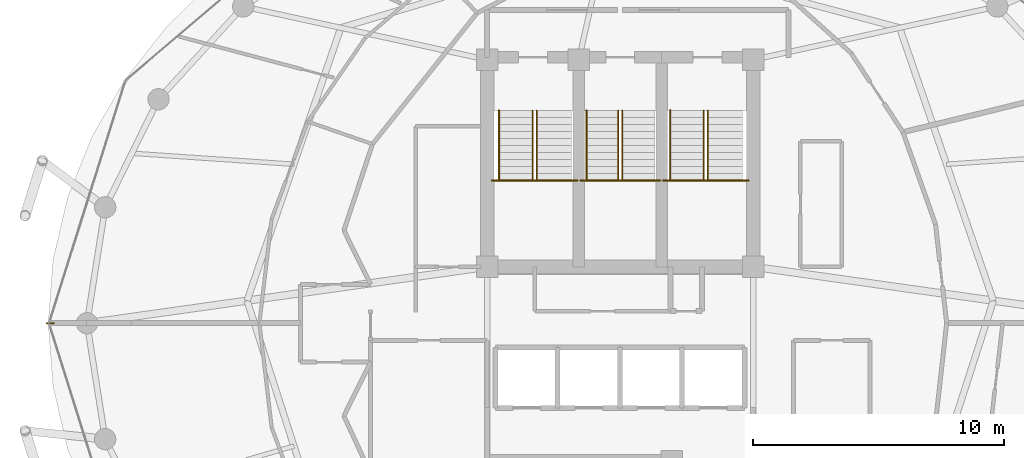
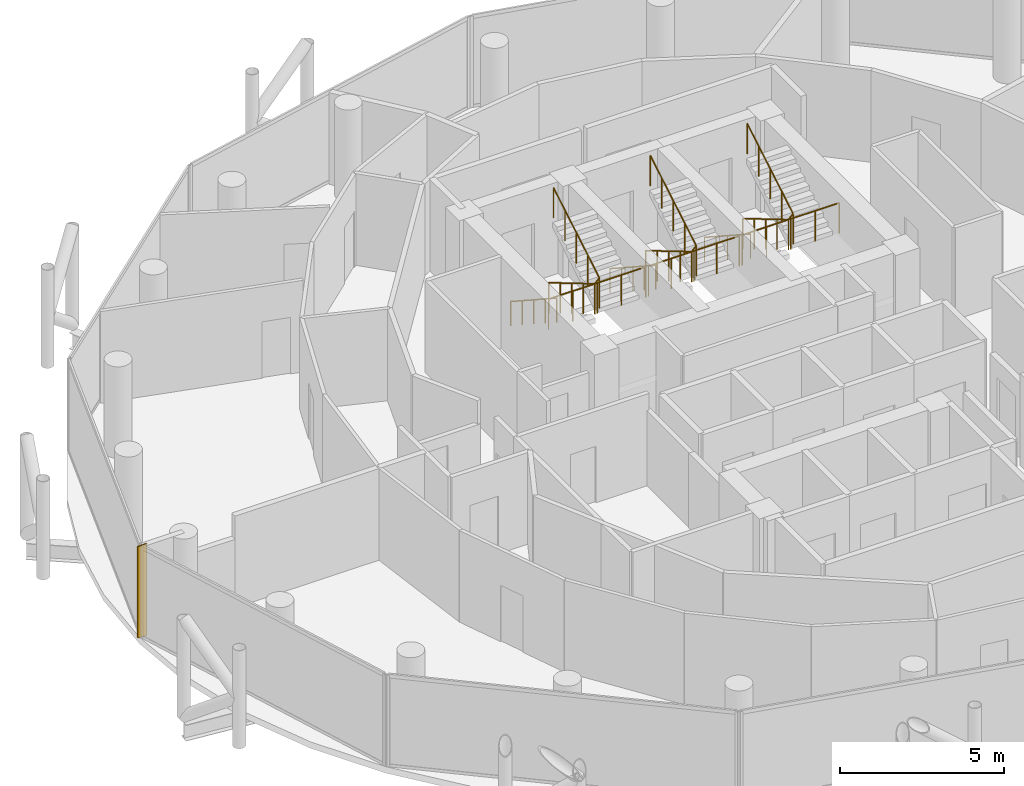
# One storey, part 27 of 28: 9 railings, 1 shading device.
"""IFC4 building model written with IfcOpenShell, lengths in metres."""

from ifc_helpers import new_model, si_unit, direction, frame, origin, origin_2d, place, context, subcontext, project, spatial, polyline, rectangle, outline, extrude, material, layer, layer_set, type_object, element, save


model = new_model("IFC4")

# Units and contexts
model_context = context("Model", 3, precision=1e-05, world=origin(), true_north=direction((0.0, 1.0)))
body_context = subcontext(model_context, "Body", "Model", "MODEL_VIEW")
ifc_project = project(units=[si_unit("LENGTHUNIT", "METRE"), si_unit("AREAUNIT", "SQUARE_METRE"), si_unit("VOLUMEUNIT", "CUBIC_METRE"), si_unit("PLANEANGLEUNIT", "RADIAN"), si_unit("MASSUNIT", "GRAM", prefix="KILO")], contexts=[model_context])

# Site, building, storey
site_placement = place(None, origin())
site = spatial("IfcSite", under=ifc_project, at=site_placement, CompositionType="ELEMENT")
building_placement = place(site_placement, origin())
building = spatial("IfcBuilding", under=site, at=building_placement, Name="Nuhasar Tower", CompositionType="ELEMENT")
storey_placement = place(building_placement, frame((0.0, 0.0, 222.75)))
storey = spatial("IfcBuildingStorey", under=building, at=storey_placement, Name="L54", CompositionType="ELEMENT", Elevation=222.75)

# Railings
ifc_material_1 = material(Name="Steel S355", Category="steel")
railing_type_1 = type_object("IfcRailingType", Name="RLG-STAIR-GUARD-1150", PredefinedType="GUARDRAIL", material=ifc_material_1)
railing_1_placement = place(storey_placement, frame((33.8798828125, 32.485107421875, 1.824951171875)))
element("IfcRailing", 1, at=railing_1_placement, inside=storey, type_object=railing_type_1, Name="L54 Stair ST-01 Guardrail LND", PredefinedType="GUARDRAIL", context=body_context, shape_type="SweptSolid", body=[
    extrude(outline(polyline([(0.024169921875, 0.0), (0.01708984375, 0.01708984375), (0.0, 0.024169921875), (-0.01708984375, 0.01708984375), (-0.024169921875, 0.0), (-0.01708984375, -0.01708984375), (0.0, -0.024169921875), (0.01708984375, -0.01708984375), (0.024169921875, 0.0)])), frame((0.0, 0.0, 1.1259765625), z_axis=(1.0, 0.0, 0.0), x_axis=(0.0, 1.0, 0.0)), (0.0, 0.0, 1.0), 3.420166015625),
    extrude(outline(polyline([(0.02099609375, 0.0), (0.014892578125, 0.014892578125), (0.0, 0.02099609375), (-0.014892578125, 0.014892578125), (-0.02099609375, 0.0), (-0.014892578125, -0.014892578125), (0.0, -0.02099609375), (0.014892578125, -0.014892578125), (0.02099609375, 0.0)])), origin(), (0.0, 0.0, 1.0), 1.101806640625),
    extrude(outline(polyline([(0.02099609375, 0.0), (0.014892578125, 0.014892578125), (0.0, 0.02099609375), (-0.014892578125, 0.014892578125), (-0.02099609375, 0.0), (-0.014892578125, -0.014892578125), (0.0, -0.02099609375), (0.014892578125, -0.014892578125), (0.02099609375, 0.0)])), frame((0.85498046875, 0.0, 0.0)), (0.0, 0.0, 1.0), 1.101806640625),
    extrude(outline(polyline([(0.02099609375, 0.0), (0.014892578125, 0.014892578125), (0.0, 0.02099609375), (-0.014892578125, 0.014892578125), (-0.02099609375, 0.0), (-0.014892578125, -0.014892578125), (0.0, -0.02099609375), (0.014892578125, -0.014892578125), (0.02099609375, 0.0)])), frame((1.7099609375, 0.0, 0.0)), (0.0, 0.0, 1.0), 1.101806640625),
    extrude(outline(polyline([(0.02099609375, 0.0), (0.014892578125, 0.014892578125), (0.0, 0.02099609375), (-0.014892578125, 0.014892578125), (-0.02099609375, 0.0), (-0.014892578125, -0.014892578125), (0.0, -0.02099609375), (0.014892578125, -0.014892578125), (0.02099609375, 0.0)])), frame((2.565185546875, 0.0, 0.0)), (0.0, 0.0, 1.0), 1.101806640625),
    extrude(outline(polyline([(0.02099609375, 0.0), (0.014892578125, 0.014892578125), (0.0, 0.02099609375), (-0.014892578125, 0.014892578125), (-0.02099609375, 0.0), (-0.014892578125, -0.014892578125), (0.0, -0.02099609375), (0.014892578125, -0.014892578125), (0.02099609375, 0.0)])), frame((3.420166015625, 0.0, 0.0)), (0.0, 0.0, 1.0), 1.101806640625),
])
railing_2_placement = place(storey_placement, frame((35.510009765625, 35.284912109375, 0.166015625)))
element("IfcRailing", 2, at=railing_2_placement, inside=storey, type_object=railing_type_1, Name="L54 Stair ST-01 Guardrail SLT", PredefinedType="GUARDRAIL", context=body_context, shape_type="SweptSolid", body=[
    extrude(outline(polyline([(0.024169921875, 0.0), (0.01708984375, 0.01708984375), (0.0, 0.024169921875), (-0.01708984375, 0.01708984375), (-0.024169921875, 0.0), (-0.01708984375, -0.01708984375), (0.0, -0.024169921875), (0.01708984375, -0.01708984375), (0.024169921875, 0.0)])), frame((0.0, 0.0, 1.1259765625), z_axis=(0.0, -0.860319559791, 0.509755093197), x_axis=(1.0, 0.0, 0.0)), (0.0, 0.0, 1.0), 3.25439453125),
    extrude(outline(polyline([(0.024169921875, 0.0), (0.01708984375, 0.01708984375), (0.0, 0.024169921875), (-0.01708984375, 0.01708984375), (-0.024169921875, 0.0), (-0.01708984375, -0.01708984375), (0.0, -0.024169921875), (0.01708984375, -0.01708984375), (0.024169921875, 0.0)])), frame((0.0, -2.7998046875, 2.78466796875), z_axis=(0.693743449033, 0.0, 0.72022220663), x_axis=(0.0, 1.0, 0.0)), (0.0, 0.0, 1.0), 0.23046875),
    extrude(outline(polyline([(0.024169921875, 0.0), (0.01708984375, 0.01708984375), (0.0, 0.024169921875), (-0.01708984375, 0.01708984375), (-0.024169921875, 0.0), (-0.01708984375, -0.01708984375), (0.0, -0.024169921875), (0.01708984375, -0.01708984375), (0.024169921875, 0.0)])), frame((0.159912109375, -2.7998046875, 2.95068359375), z_axis=(0.0, 0.860319559791, 0.509755093197), x_axis=(-1.0, 0.0, 0.0)), (0.0, 0.0, 1.0), 3.25439453125),
    extrude(outline(polyline([(0.02099609375, 0.0), (0.014892578125, 0.014892578125), (0.0, 0.02099609375), (-0.014892578125, 0.014892578125), (-0.02099609375, 0.0), (-0.014892578125, -0.014892578125), (0.0, -0.02099609375), (0.014892578125, -0.014892578125), (0.02099609375, 0.0)])), origin(), (0.0, 0.0, 1.0), 1.101806640625),
    extrude(outline(polyline([(0.02099609375, 0.0), (0.014892578125, 0.014892578125), (0.0, 0.02099609375), (-0.014892578125, 0.014892578125), (-0.02099609375, 0.0), (-0.014892578125, -0.014892578125), (0.0, -0.02099609375), (0.014892578125, -0.014892578125), (0.02099609375, 0.0)])), frame((0.0, -0.699951171875, 0.414794921875)), (0.0, 0.0, 1.0), 1.101806640625),
    extrude(outline(polyline([(0.02099609375, 0.0), (0.014892578125, 0.014892578125), (0.0, 0.02099609375), (-0.014892578125, 0.014892578125), (-0.02099609375, 0.0), (-0.014892578125, -0.014892578125), (0.0, -0.02099609375), (0.014892578125, -0.014892578125), (0.02099609375, 0.0)])), frame((0.0, -1.39990234375, 0.82958984375)), (0.0, 0.0, 1.0), 1.101806640625),
    extrude(outline(polyline([(0.02099609375, 0.0), (0.014892578125, 0.014892578125), (0.0, 0.02099609375), (-0.014892578125, 0.014892578125), (-0.02099609375, 0.0), (-0.014892578125, -0.014892578125), (0.0, -0.02099609375), (0.014892578125, -0.014892578125), (0.02099609375, 0.0)])), frame((0.0, -2.099853515625, 1.244140625)), (0.0, 0.0, 1.0), 1.101806640625),
    extrude(outline(polyline([(0.02099609375, 0.0), (0.014892578125, 0.014892578125), (0.0, 0.02099609375), (-0.014892578125, 0.014892578125), (-0.02099609375, 0.0), (-0.014892578125, -0.014892578125), (0.0, -0.02099609375), (0.014892578125, -0.014892578125), (0.02099609375, 0.0)])), frame((0.0, -2.7998046875, 1.658935546875)), (0.0, 0.0, 1.0), 1.101806640625),
    extrude(outline(polyline([(0.02099609375, 0.0), (0.014892578125, 0.014892578125), (0.0, 0.02099609375), (-0.014892578125, 0.014892578125), (-0.02099609375, 0.0), (-0.014892578125, -0.014892578125), (0.0, -0.02099609375), (0.014892578125, -0.014892578125), (0.02099609375, 0.0)])), frame((0.159912109375, -2.7998046875, 1.824951171875)), (0.0, 0.0, 1.0), 1.101806640625),
    extrude(outline(polyline([(0.02099609375, 0.0), (0.014892578125, 0.014892578125), (0.0, 0.02099609375), (-0.014892578125, 0.014892578125), (-0.02099609375, 0.0), (-0.014892578125, -0.014892578125), (0.0, -0.02099609375), (0.014892578125, -0.014892578125), (0.02099609375, 0.0)])), frame((0.159912109375, -2.099853515625, 2.23974609375)), (0.0, 0.0, 1.0), 1.101806640625),
    extrude(outline(polyline([(0.02099609375, 0.0), (0.014892578125, 0.014892578125), (0.0, 0.02099609375), (-0.014892578125, 0.014892578125), (-0.02099609375, 0.0), (-0.014892578125, -0.014892578125), (0.0, -0.02099609375), (0.014892578125, -0.014892578125), (0.02099609375, 0.0)])), frame((0.159912109375, -1.39990234375, 2.654296875)), (0.0, 0.0, 1.0), 1.101806640625),
    extrude(outline(polyline([(0.02099609375, 0.0), (0.014892578125, 0.014892578125), (0.0, 0.02099609375), (-0.014892578125, 0.014892578125), (-0.02099609375, 0.0), (-0.014892578125, -0.014892578125), (0.0, -0.02099609375), (0.014892578125, -0.014892578125), (0.02099609375, 0.0)])), frame((0.159912109375, -0.699951171875, 3.069091796875)), (0.0, 0.0, 1.0), 1.101806640625),
    extrude(outline(polyline([(0.02099609375, 0.0), (0.014892578125, 0.014892578125), (0.0, 0.02099609375), (-0.014892578125, 0.014892578125), (-0.02099609375, 0.0), (-0.014892578125, -0.014892578125), (0.0, -0.02099609375), (0.014892578125, -0.014892578125), (0.02099609375, 0.0)])), frame((0.159912109375, 0.0, 3.48388671875)), (0.0, 0.0, 1.0), 1.101806640625),
])
railing_3_placement = place(storey_placement, frame((37.39990234375, 32.485107421875, 1.824951171875)))
element("IfcRailing", 3, at=railing_3_placement, inside=storey, type_object=railing_type_1, Name="L54 Stair ST-03 Guardrail LND", PredefinedType="GUARDRAIL", context=body_context, shape_type="SweptSolid", body=[
    extrude(outline(polyline([(0.024169921875, 0.0), (0.01708984375, 0.01708984375), (0.0, 0.024169921875), (-0.01708984375, 0.01708984375), (-0.024169921875, 0.0), (-0.01708984375, -0.01708984375), (0.0, -0.024169921875), (0.01708984375, -0.01708984375), (0.024169921875, 0.0)])), frame((0.0, 0.0, 1.1259765625), z_axis=(1.0, 0.0, 0.0), x_axis=(0.0, 1.0, 0.0)), (0.0, 0.0, 1.0), 3.2001953125),
    extrude(outline(polyline([(0.02099609375, 0.0), (0.014892578125, 0.014892578125), (0.0, 0.02099609375), (-0.014892578125, 0.014892578125), (-0.02099609375, 0.0), (-0.014892578125, -0.014892578125), (0.0, -0.02099609375), (0.014892578125, -0.014892578125), (0.02099609375, 0.0)])), origin(), (0.0, 0.0, 1.0), 1.101806640625),
    extrude(outline(polyline([(0.02099609375, 0.0), (0.014892578125, 0.014892578125), (0.0, 0.02099609375), (-0.014892578125, 0.014892578125), (-0.02099609375, 0.0), (-0.014892578125, -0.014892578125), (0.0, -0.02099609375), (0.014892578125, -0.014892578125), (0.02099609375, 0.0)])), frame((0.800048828125, 0.0, 0.0)), (0.0, 0.0, 1.0), 1.101806640625),
    extrude(outline(polyline([(0.02099609375, 0.0), (0.014892578125, 0.014892578125), (0.0, 0.02099609375), (-0.014892578125, 0.014892578125), (-0.02099609375, 0.0), (-0.014892578125, -0.014892578125), (0.0, -0.02099609375), (0.014892578125, -0.014892578125), (0.02099609375, 0.0)])), frame((1.60009765625, 0.0, 0.0)), (0.0, 0.0, 1.0), 1.101806640625),
    extrude(outline(polyline([(0.02099609375, 0.0), (0.014892578125, 0.014892578125), (0.0, 0.02099609375), (-0.014892578125, 0.014892578125), (-0.02099609375, 0.0), (-0.014892578125, -0.014892578125), (0.0, -0.02099609375), (0.014892578125, -0.014892578125), (0.02099609375, 0.0)])), frame((2.400146484375, 0.0, 0.0)), (0.0, 0.0, 1.0), 1.101806640625),
    extrude(outline(polyline([(0.02099609375, 0.0), (0.014892578125, 0.014892578125), (0.0, 0.02099609375), (-0.014892578125, 0.014892578125), (-0.02099609375, 0.0), (-0.014892578125, -0.014892578125), (0.0, -0.02099609375), (0.014892578125, -0.014892578125), (0.02099609375, 0.0)])), frame((3.2001953125, 0.0, 0.0)), (0.0, 0.0, 1.0), 1.101806640625),
])
railing_4_placement = place(storey_placement, frame((38.919921875, 35.284912109375, 0.166015625)))
element("IfcRailing", 4, at=railing_4_placement, inside=storey, type_object=railing_type_1, Name="L54 Stair ST-03 Guardrail SLT", PredefinedType="GUARDRAIL", context=body_context, shape_type="SweptSolid", body=[
    extrude(outline(polyline([(0.024169921875, 0.0), (0.01708984375, 0.01708984375), (0.0, 0.024169921875), (-0.01708984375, 0.01708984375), (-0.024169921875, 0.0), (-0.01708984375, -0.01708984375), (0.0, -0.024169921875), (0.01708984375, -0.01708984375), (0.024169921875, 0.0)])), frame((0.0, 0.0, 1.1259765625), z_axis=(0.0, -0.860319559791, 0.509755093197), x_axis=(1.0, 0.0, 0.0)), (0.0, 0.0, 1.0), 3.25439453125),
    extrude(outline(polyline([(0.024169921875, 0.0), (0.01708984375, 0.01708984375), (0.0, 0.024169921875), (-0.01708984375, 0.01708984375), (-0.024169921875, 0.0), (-0.01708984375, -0.01708984375), (0.0, -0.024169921875), (0.01708984375, -0.01708984375), (0.024169921875, 0.0)])), frame((0.0, -2.7998046875, 2.78466796875), z_axis=(0.694292246407, 0.0, 0.719693182251), x_axis=(0.0, 1.0, 0.0)), (0.0, 0.0, 1.0), 0.230712890625),
    extrude(outline(polyline([(0.024169921875, 0.0), (0.01708984375, 0.01708984375), (0.0, 0.024169921875), (-0.01708984375, 0.01708984375), (-0.024169921875, 0.0), (-0.01708984375, -0.01708984375), (0.0, -0.024169921875), (0.01708984375, -0.01708984375), (0.024169921875, 0.0)])), frame((0.16015625, -2.7998046875, 2.95068359375), z_axis=(0.0, 0.860319559791, 0.509755093197), x_axis=(-1.0, 0.0, 0.0)), (0.0, 0.0, 1.0), 3.25439453125),
    extrude(outline(polyline([(0.02099609375, 0.0), (0.014892578125, 0.014892578125), (0.0, 0.02099609375), (-0.014892578125, 0.014892578125), (-0.02099609375, 0.0), (-0.014892578125, -0.014892578125), (0.0, -0.02099609375), (0.014892578125, -0.014892578125), (0.02099609375, 0.0)])), origin(), (0.0, 0.0, 1.0), 1.101806640625),
    extrude(outline(polyline([(0.02099609375, 0.0), (0.014892578125, 0.014892578125), (0.0, 0.02099609375), (-0.014892578125, 0.014892578125), (-0.02099609375, 0.0), (-0.014892578125, -0.014892578125), (0.0, -0.02099609375), (0.014892578125, -0.014892578125), (0.02099609375, 0.0)])), frame((0.0, -0.699951171875, 0.414794921875)), (0.0, 0.0, 1.0), 1.101806640625),
    extrude(outline(polyline([(0.02099609375, 0.0), (0.014892578125, 0.014892578125), (0.0, 0.02099609375), (-0.014892578125, 0.014892578125), (-0.02099609375, 0.0), (-0.014892578125, -0.014892578125), (0.0, -0.02099609375), (0.014892578125, -0.014892578125), (0.02099609375, 0.0)])), frame((0.0, -1.39990234375, 0.82958984375)), (0.0, 0.0, 1.0), 1.101806640625),
    extrude(outline(polyline([(0.02099609375, 0.0), (0.014892578125, 0.014892578125), (0.0, 0.02099609375), (-0.014892578125, 0.014892578125), (-0.02099609375, 0.0), (-0.014892578125, -0.014892578125), (0.0, -0.02099609375), (0.014892578125, -0.014892578125), (0.02099609375, 0.0)])), frame((0.0, -2.099853515625, 1.244140625)), (0.0, 0.0, 1.0), 1.101806640625),
    extrude(outline(polyline([(0.02099609375, 0.0), (0.014892578125, 0.014892578125), (0.0, 0.02099609375), (-0.014892578125, 0.014892578125), (-0.02099609375, 0.0), (-0.014892578125, -0.014892578125), (0.0, -0.02099609375), (0.014892578125, -0.014892578125), (0.02099609375, 0.0)])), frame((0.0, -2.7998046875, 1.658935546875)), (0.0, 0.0, 1.0), 1.101806640625),
    extrude(outline(polyline([(0.02099609375, 0.0), (0.014892578125, 0.014892578125), (0.0, 0.02099609375), (-0.014892578125, 0.014892578125), (-0.02099609375, 0.0), (-0.014892578125, -0.014892578125), (0.0, -0.02099609375), (0.014892578125, -0.014892578125), (0.02099609375, 0.0)])), frame((0.16015625, -2.7998046875, 1.824951171875)), (0.0, 0.0, 1.0), 1.101806640625),
    extrude(outline(polyline([(0.02099609375, 0.0), (0.014892578125, 0.014892578125), (0.0, 0.02099609375), (-0.014892578125, 0.014892578125), (-0.02099609375, 0.0), (-0.014892578125, -0.014892578125), (0.0, -0.02099609375), (0.014892578125, -0.014892578125), (0.02099609375, 0.0)])), frame((0.16015625, -2.099853515625, 2.23974609375)), (0.0, 0.0, 1.0), 1.101806640625),
    extrude(outline(polyline([(0.02099609375, 0.0), (0.014892578125, 0.014892578125), (0.0, 0.02099609375), (-0.014892578125, 0.014892578125), (-0.02099609375, 0.0), (-0.014892578125, -0.014892578125), (0.0, -0.02099609375), (0.014892578125, -0.014892578125), (0.02099609375, 0.0)])), frame((0.16015625, -1.39990234375, 2.654296875)), (0.0, 0.0, 1.0), 1.101806640625),
    extrude(outline(polyline([(0.02099609375, 0.0), (0.014892578125, 0.014892578125), (0.0, 0.02099609375), (-0.014892578125, 0.014892578125), (-0.02099609375, 0.0), (-0.014892578125, -0.014892578125), (0.0, -0.02099609375), (0.014892578125, -0.014892578125), (0.02099609375, 0.0)])), frame((0.16015625, -0.699951171875, 3.069091796875)), (0.0, 0.0, 1.0), 1.101806640625),
    extrude(outline(polyline([(0.02099609375, 0.0), (0.014892578125, 0.014892578125), (0.0, 0.02099609375), (-0.014892578125, 0.014892578125), (-0.02099609375, 0.0), (-0.014892578125, -0.014892578125), (0.0, -0.02099609375), (0.014892578125, -0.014892578125), (0.02099609375, 0.0)])), frame((0.16015625, 0.0, 3.48388671875)), (0.0, 0.0, 1.0), 1.101806640625),
])
railing_5_placement = place(storey_placement, frame((40.699951171875, 32.485107421875, 1.824951171875)))
element("IfcRailing", 5, at=railing_5_placement, inside=storey, type_object=railing_type_1, Name="L54 Stair ST-02 Guardrail LND", PredefinedType="GUARDRAIL", context=body_context, shape_type="SweptSolid", body=[
    extrude(outline(polyline([(0.024169921875, 0.0), (0.01708984375, 0.01708984375), (0.0, 0.024169921875), (-0.01708984375, 0.01708984375), (-0.024169921875, 0.0), (-0.01708984375, -0.01708984375), (0.0, -0.024169921875), (0.01708984375, -0.01708984375), (0.024169921875, 0.0)])), frame((0.0, 0.0, 1.1259765625), z_axis=(1.0, 0.0, 0.0), x_axis=(0.0, 1.0, 0.0)), (0.0, 0.0, 1.0), 3.420166015625),
    extrude(outline(polyline([(0.02099609375, 0.0), (0.014892578125, 0.014892578125), (0.0, 0.02099609375), (-0.014892578125, 0.014892578125), (-0.02099609375, 0.0), (-0.014892578125, -0.014892578125), (0.0, -0.02099609375), (0.014892578125, -0.014892578125), (0.02099609375, 0.0)])), origin(), (0.0, 0.0, 1.0), 1.101806640625),
    extrude(outline(polyline([(0.02099609375, 0.0), (0.014892578125, 0.014892578125), (0.0, 0.02099609375), (-0.014892578125, 0.014892578125), (-0.02099609375, 0.0), (-0.014892578125, -0.014892578125), (0.0, -0.02099609375), (0.014892578125, -0.014892578125), (0.02099609375, 0.0)])), frame((0.85498046875, 0.0, 0.0)), (0.0, 0.0, 1.0), 1.101806640625),
    extrude(outline(polyline([(0.02099609375, 0.0), (0.014892578125, 0.014892578125), (0.0, 0.02099609375), (-0.014892578125, 0.014892578125), (-0.02099609375, 0.0), (-0.014892578125, -0.014892578125), (0.0, -0.02099609375), (0.014892578125, -0.014892578125), (0.02099609375, 0.0)])), frame((1.7099609375, 0.0, 0.0)), (0.0, 0.0, 1.0), 1.101806640625),
    extrude(outline(polyline([(0.02099609375, 0.0), (0.014892578125, 0.014892578125), (0.0, 0.02099609375), (-0.014892578125, 0.014892578125), (-0.02099609375, 0.0), (-0.014892578125, -0.014892578125), (0.0, -0.02099609375), (0.014892578125, -0.014892578125), (0.02099609375, 0.0)])), frame((2.565185546875, 0.0, 0.0)), (0.0, 0.0, 1.0), 1.101806640625),
    extrude(outline(polyline([(0.02099609375, 0.0), (0.014892578125, 0.014892578125), (0.0, 0.02099609375), (-0.014892578125, 0.014892578125), (-0.02099609375, 0.0), (-0.014892578125, -0.014892578125), (0.0, -0.02099609375), (0.014892578125, -0.014892578125), (0.02099609375, 0.0)])), frame((3.420166015625, 0.0, 0.0)), (0.0, 0.0, 1.0), 1.101806640625),
])
railing_6_placement = place(storey_placement, frame((42.330078125, 35.284912109375, 0.166015625)))
element("IfcRailing", 6, at=railing_6_placement, inside=storey, type_object=railing_type_1, Name="L54 Stair ST-02 Guardrail SLT", PredefinedType="GUARDRAIL", context=body_context, shape_type="SweptSolid", body=[
    extrude(outline(polyline([(0.024169921875, 0.0), (0.01708984375, 0.01708984375), (0.0, 0.024169921875), (-0.01708984375, 0.01708984375), (-0.024169921875, 0.0), (-0.01708984375, -0.01708984375), (0.0, -0.024169921875), (0.01708984375, -0.01708984375), (0.024169921875, 0.0)])), frame((0.0, 0.0, 1.1259765625), z_axis=(0.0, -0.860319559791, 0.509755093197), x_axis=(1.0, 0.0, 0.0)), (0.0, 0.0, 1.0), 3.25439453125),
    extrude(outline(polyline([(0.024169921875, 0.0), (0.01708984375, 0.01708984375), (0.0, 0.024169921875), (-0.01708984375, 0.01708984375), (-0.024169921875, 0.0), (-0.01708984375, -0.01708984375), (0.0, -0.024169921875), (0.01708984375, -0.01708984375), (0.024169921875, 0.0)])), frame((0.0, -2.7998046875, 2.78466796875), z_axis=(0.693743449033, 0.0, 0.72022220663), x_axis=(0.0, 1.0, 0.0)), (0.0, 0.0, 1.0), 0.23046875),
    extrude(outline(polyline([(0.024169921875, 0.0), (0.01708984375, 0.01708984375), (0.0, 0.024169921875), (-0.01708984375, 0.01708984375), (-0.024169921875, 0.0), (-0.01708984375, -0.01708984375), (0.0, -0.024169921875), (0.01708984375, -0.01708984375), (0.024169921875, 0.0)])), frame((0.159912109375, -2.7998046875, 2.95068359375), z_axis=(0.0, 0.860319559791, 0.509755093197), x_axis=(-1.0, 0.0, 0.0)), (0.0, 0.0, 1.0), 3.25439453125),
    extrude(outline(polyline([(0.02099609375, 0.0), (0.014892578125, 0.014892578125), (0.0, 0.02099609375), (-0.014892578125, 0.014892578125), (-0.02099609375, 0.0), (-0.014892578125, -0.014892578125), (0.0, -0.02099609375), (0.014892578125, -0.014892578125), (0.02099609375, 0.0)])), origin(), (0.0, 0.0, 1.0), 1.101806640625),
    extrude(outline(polyline([(0.02099609375, 0.0), (0.014892578125, 0.014892578125), (0.0, 0.02099609375), (-0.014892578125, 0.014892578125), (-0.02099609375, 0.0), (-0.014892578125, -0.014892578125), (0.0, -0.02099609375), (0.014892578125, -0.014892578125), (0.02099609375, 0.0)])), frame((0.0, -0.699951171875, 0.414794921875)), (0.0, 0.0, 1.0), 1.101806640625),
    extrude(outline(polyline([(0.02099609375, 0.0), (0.014892578125, 0.014892578125), (0.0, 0.02099609375), (-0.014892578125, 0.014892578125), (-0.02099609375, 0.0), (-0.014892578125, -0.014892578125), (0.0, -0.02099609375), (0.014892578125, -0.014892578125), (0.02099609375, 0.0)])), frame((0.0, -1.39990234375, 0.82958984375)), (0.0, 0.0, 1.0), 1.101806640625),
    extrude(outline(polyline([(0.02099609375, 0.0), (0.014892578125, 0.014892578125), (0.0, 0.02099609375), (-0.014892578125, 0.014892578125), (-0.02099609375, 0.0), (-0.014892578125, -0.014892578125), (0.0, -0.02099609375), (0.014892578125, -0.014892578125), (0.02099609375, 0.0)])), frame((0.0, -2.099853515625, 1.244140625)), (0.0, 0.0, 1.0), 1.101806640625),
    extrude(outline(polyline([(0.02099609375, 0.0), (0.014892578125, 0.014892578125), (0.0, 0.02099609375), (-0.014892578125, 0.014892578125), (-0.02099609375, 0.0), (-0.014892578125, -0.014892578125), (0.0, -0.02099609375), (0.014892578125, -0.014892578125), (0.02099609375, 0.0)])), frame((0.0, -2.7998046875, 1.658935546875)), (0.0, 0.0, 1.0), 1.101806640625),
    extrude(outline(polyline([(0.02099609375, 0.0), (0.014892578125, 0.014892578125), (0.0, 0.02099609375), (-0.014892578125, 0.014892578125), (-0.02099609375, 0.0), (-0.014892578125, -0.014892578125), (0.0, -0.02099609375), (0.014892578125, -0.014892578125), (0.02099609375, 0.0)])), frame((0.159912109375, -2.7998046875, 1.824951171875)), (0.0, 0.0, 1.0), 1.101806640625),
    extrude(outline(polyline([(0.02099609375, 0.0), (0.014892578125, 0.014892578125), (0.0, 0.02099609375), (-0.014892578125, 0.014892578125), (-0.02099609375, 0.0), (-0.014892578125, -0.014892578125), (0.0, -0.02099609375), (0.014892578125, -0.014892578125), (0.02099609375, 0.0)])), frame((0.159912109375, -2.099853515625, 2.23974609375)), (0.0, 0.0, 1.0), 1.101806640625),
    extrude(outline(polyline([(0.02099609375, 0.0), (0.014892578125, 0.014892578125), (0.0, 0.02099609375), (-0.014892578125, 0.014892578125), (-0.02099609375, 0.0), (-0.014892578125, -0.014892578125), (0.0, -0.02099609375), (0.014892578125, -0.014892578125), (0.02099609375, 0.0)])), frame((0.159912109375, -1.39990234375, 2.654296875)), (0.0, 0.0, 1.0), 1.101806640625),
    extrude(outline(polyline([(0.02099609375, 0.0), (0.014892578125, 0.014892578125), (0.0, 0.02099609375), (-0.014892578125, 0.014892578125), (-0.02099609375, 0.0), (-0.014892578125, -0.014892578125), (0.0, -0.02099609375), (0.014892578125, -0.014892578125), (0.02099609375, 0.0)])), frame((0.159912109375, -0.699951171875, 3.069091796875)), (0.0, 0.0, 1.0), 1.101806640625),
    extrude(outline(polyline([(0.02099609375, 0.0), (0.014892578125, 0.014892578125), (0.0, 0.02099609375), (-0.014892578125, 0.014892578125), (-0.02099609375, 0.0), (-0.014892578125, -0.014892578125), (0.0, -0.02099609375), (0.014892578125, -0.014892578125), (0.02099609375, 0.0)])), frame((0.159912109375, 0.0, 3.48388671875)), (0.0, 0.0, 1.0), 1.101806640625),
])
ifc_material_2 = material(Name="Stainless Steel 316L", Category="steel")
railing_type_2 = type_object("IfcRailingType", Name="RLG-STAIR-HAND-920", PredefinedType="HANDRAIL", material=ifc_material_2)
railing_7_placement = place(storey_placement, frame((34.169921875, 35.284912109375, 0.166015625)))
element("IfcRailing", 7, at=railing_7_placement, inside=storey, type_object=railing_type_2, Name="L54 Stair ST-01 Handrail HND1", PredefinedType="HANDRAIL", context=body_context, shape_type="SweptSolid", body=[
    extrude(outline(polyline([(0.024169921875, 0.0), (0.01708984375, 0.01708984375), (0.0, 0.024169921875), (-0.01708984375, 0.01708984375), (-0.024169921875, 0.0), (-0.01708984375, -0.01708984375), (0.0, -0.024169921875), (0.01708984375, -0.01708984375), (0.024169921875, 0.0)])), frame((0.0, 0.0, 0.89599609375), z_axis=(0.0, -0.837748630625, 0.546056070276), x_axis=(1.0, 0.0, 0.0)), (0.0, 0.0, 1.0), 3.342041015625),
    extrude(outline(polyline([(0.02099609375, 0.0), (0.014892578125, 0.014892578125), (0.0, 0.02099609375), (-0.014892578125, 0.014892578125), (-0.02099609375, 0.0), (-0.014892578125, -0.014892578125), (0.0, -0.02099609375), (0.014892578125, -0.014892578125), (0.02099609375, 0.0)])), origin(), (0.0, 0.0, 1.0), 0.871826171875),
    extrude(outline(polyline([(0.02099609375, 0.0), (0.014892578125, 0.014892578125), (0.0, 0.02099609375), (-0.014892578125, 0.014892578125), (-0.02099609375, 0.0), (-0.014892578125, -0.014892578125), (0.0, -0.02099609375), (0.014892578125, -0.014892578125), (0.02099609375, 0.0)])), frame((0.0, -0.699951171875, 0.456298828125)), (0.0, 0.0, 1.0), 0.871826171875),
    extrude(outline(polyline([(0.02099609375, 0.0), (0.014892578125, 0.014892578125), (0.0, 0.02099609375), (-0.014892578125, 0.014892578125), (-0.02099609375, 0.0), (-0.014892578125, -0.014892578125), (0.0, -0.02099609375), (0.014892578125, -0.014892578125), (0.02099609375, 0.0)])), frame((0.0, -1.39990234375, 0.91259765625)), (0.0, 0.0, 1.0), 0.871826171875),
    extrude(outline(polyline([(0.02099609375, 0.0), (0.014892578125, 0.014892578125), (0.0, 0.02099609375), (-0.014892578125, 0.014892578125), (-0.02099609375, 0.0), (-0.014892578125, -0.014892578125), (0.0, -0.02099609375), (0.014892578125, -0.014892578125), (0.02099609375, 0.0)])), frame((0.0, -2.099853515625, 1.36865234375)), (0.0, 0.0, 1.0), 0.871826171875),
    extrude(outline(polyline([(0.02099609375, 0.0), (0.014892578125, 0.014892578125), (0.0, 0.02099609375), (-0.014892578125, 0.014892578125), (-0.02099609375, 0.0), (-0.014892578125, -0.014892578125), (0.0, -0.02099609375), (0.014892578125, -0.014892578125), (0.02099609375, 0.0)])), frame((0.0, -2.7998046875, 1.824951171875)), (0.0, 0.0, 1.0), 0.871826171875),
])
railing_8_placement = place(storey_placement, frame((37.659912109375, 35.284912109375, 0.166015625)))
element("IfcRailing", 8, at=railing_8_placement, inside=storey, type_object=railing_type_2, Name="L54 Stair ST-03 Handrail HND1", PredefinedType="HANDRAIL", context=body_context, shape_type="SweptSolid", body=[
    extrude(outline(polyline([(0.024169921875, 0.0), (0.01708984375, 0.01708984375), (0.0, 0.024169921875), (-0.01708984375, 0.01708984375), (-0.024169921875, 0.0), (-0.01708984375, -0.01708984375), (0.0, -0.024169921875), (0.01708984375, -0.01708984375), (0.024169921875, 0.0)])), frame((0.0, 0.0, 0.89599609375), z_axis=(0.0, -0.837748630625, 0.546056070276), x_axis=(1.0, 0.0, 0.0)), (0.0, 0.0, 1.0), 3.342041015625),
    extrude(outline(polyline([(0.02099609375, 0.0), (0.014892578125, 0.014892578125), (0.0, 0.02099609375), (-0.014892578125, 0.014892578125), (-0.02099609375, 0.0), (-0.014892578125, -0.014892578125), (0.0, -0.02099609375), (0.014892578125, -0.014892578125), (0.02099609375, 0.0)])), origin(), (0.0, 0.0, 1.0), 0.871826171875),
    extrude(outline(polyline([(0.02099609375, 0.0), (0.014892578125, 0.014892578125), (0.0, 0.02099609375), (-0.014892578125, 0.014892578125), (-0.02099609375, 0.0), (-0.014892578125, -0.014892578125), (0.0, -0.02099609375), (0.014892578125, -0.014892578125), (0.02099609375, 0.0)])), frame((0.0, -0.699951171875, 0.456298828125)), (0.0, 0.0, 1.0), 0.871826171875),
    extrude(outline(polyline([(0.02099609375, 0.0), (0.014892578125, 0.014892578125), (0.0, 0.02099609375), (-0.014892578125, 0.014892578125), (-0.02099609375, 0.0), (-0.014892578125, -0.014892578125), (0.0, -0.02099609375), (0.014892578125, -0.014892578125), (0.02099609375, 0.0)])), frame((0.0, -1.39990234375, 0.91259765625)), (0.0, 0.0, 1.0), 0.871826171875),
    extrude(outline(polyline([(0.02099609375, 0.0), (0.014892578125, 0.014892578125), (0.0, 0.02099609375), (-0.014892578125, 0.014892578125), (-0.02099609375, 0.0), (-0.014892578125, -0.014892578125), (0.0, -0.02099609375), (0.014892578125, -0.014892578125), (0.02099609375, 0.0)])), frame((0.0, -2.099853515625, 1.36865234375)), (0.0, 0.0, 1.0), 0.871826171875),
    extrude(outline(polyline([(0.02099609375, 0.0), (0.014892578125, 0.014892578125), (0.0, 0.02099609375), (-0.014892578125, 0.014892578125), (-0.02099609375, 0.0), (-0.014892578125, -0.014892578125), (0.0, -0.02099609375), (0.014892578125, -0.014892578125), (0.02099609375, 0.0)])), frame((0.0, -2.7998046875, 1.824951171875)), (0.0, 0.0, 1.0), 0.871826171875),
])
railing_9_placement = place(storey_placement, frame((40.989990234375, 35.284912109375, 0.166015625)))
element("IfcRailing", 9, at=railing_9_placement, inside=storey, type_object=railing_type_2, Name="L54 Stair ST-02 Handrail HND1", PredefinedType="HANDRAIL", context=body_context, shape_type="SweptSolid", body=[
    extrude(outline(polyline([(0.024169921875, 0.0), (0.01708984375, 0.01708984375), (0.0, 0.024169921875), (-0.01708984375, 0.01708984375), (-0.024169921875, 0.0), (-0.01708984375, -0.01708984375), (0.0, -0.024169921875), (0.01708984375, -0.01708984375), (0.024169921875, 0.0)])), frame((0.0, 0.0, 0.89599609375), z_axis=(0.0, -0.837748630625, 0.546056070276), x_axis=(1.0, 0.0, 0.0)), (0.0, 0.0, 1.0), 3.342041015625),
    extrude(outline(polyline([(0.02099609375, 0.0), (0.014892578125, 0.014892578125), (0.0, 0.02099609375), (-0.014892578125, 0.014892578125), (-0.02099609375, 0.0), (-0.014892578125, -0.014892578125), (0.0, -0.02099609375), (0.014892578125, -0.014892578125), (0.02099609375, 0.0)])), origin(), (0.0, 0.0, 1.0), 0.871826171875),
    extrude(outline(polyline([(0.02099609375, 0.0), (0.014892578125, 0.014892578125), (0.0, 0.02099609375), (-0.014892578125, 0.014892578125), (-0.02099609375, 0.0), (-0.014892578125, -0.014892578125), (0.0, -0.02099609375), (0.014892578125, -0.014892578125), (0.02099609375, 0.0)])), frame((0.0, -0.699951171875, 0.456298828125)), (0.0, 0.0, 1.0), 0.871826171875),
    extrude(outline(polyline([(0.02099609375, 0.0), (0.014892578125, 0.014892578125), (0.0, 0.02099609375), (-0.014892578125, 0.014892578125), (-0.02099609375, 0.0), (-0.014892578125, -0.014892578125), (0.0, -0.02099609375), (0.014892578125, -0.014892578125), (0.02099609375, 0.0)])), frame((0.0, -1.39990234375, 0.91259765625)), (0.0, 0.0, 1.0), 0.871826171875),
    extrude(outline(polyline([(0.02099609375, 0.0), (0.014892578125, 0.014892578125), (0.0, 0.02099609375), (-0.014892578125, 0.014892578125), (-0.02099609375, 0.0), (-0.014892578125, -0.014892578125), (0.0, -0.02099609375), (0.014892578125, -0.014892578125), (0.02099609375, 0.0)])), frame((0.0, -2.099853515625, 1.36865234375)), (0.0, 0.0, 1.0), 0.871826171875),
    extrude(outline(polyline([(0.02099609375, 0.0), (0.014892578125, 0.014892578125), (0.0, 0.02099609375), (-0.014892578125, 0.014892578125), (-0.02099609375, 0.0), (-0.014892578125, -0.014892578125), (0.0, -0.02099609375), (0.014892578125, -0.014892578125), (0.02099609375, 0.0)])), frame((0.0, -2.7998046875, 1.824951171875)), (0.0, 0.0, 1.0), 0.871826171875),
])

# Shading device
ifc_material_3 = material(Name="Aluminium 6063-T6", Category="aluminium")
ifc_layer = layer(ifc_material_3, 0.044921875)
ifc_layer_set = layer_set([ifc_layer], Name="Aluminium 6063-T6")
shading_device_type = type_object("IfcShadingDeviceType", Name="SHD-FIN-320", PredefinedType="JALOUSIE", material=ifc_layer_set)
shading_device_placement = place(storey_placement, frame((16.2900390625, 26.800048828125, 0.0), z_axis=(0.0, 0.0, 1.0), x_axis=(-1.0, 0.0, 0.0)))
element("IfcShadingDevice", 10, at=shading_device_placement, inside=storey, type_object=shading_device_type, Name="L54 Solar Mashrabiya Fin 02", PredefinedType="JALOUSIE", context=body_context, shape_type="SweptSolid", body=[
    extrude(rectangle(XDim=0.320068359375, YDim=0.044921875, at=origin_2d()), origin(), (0.0, 0.0, 1.0), 3.409912109375),
])

save(model, "model.ifc")
